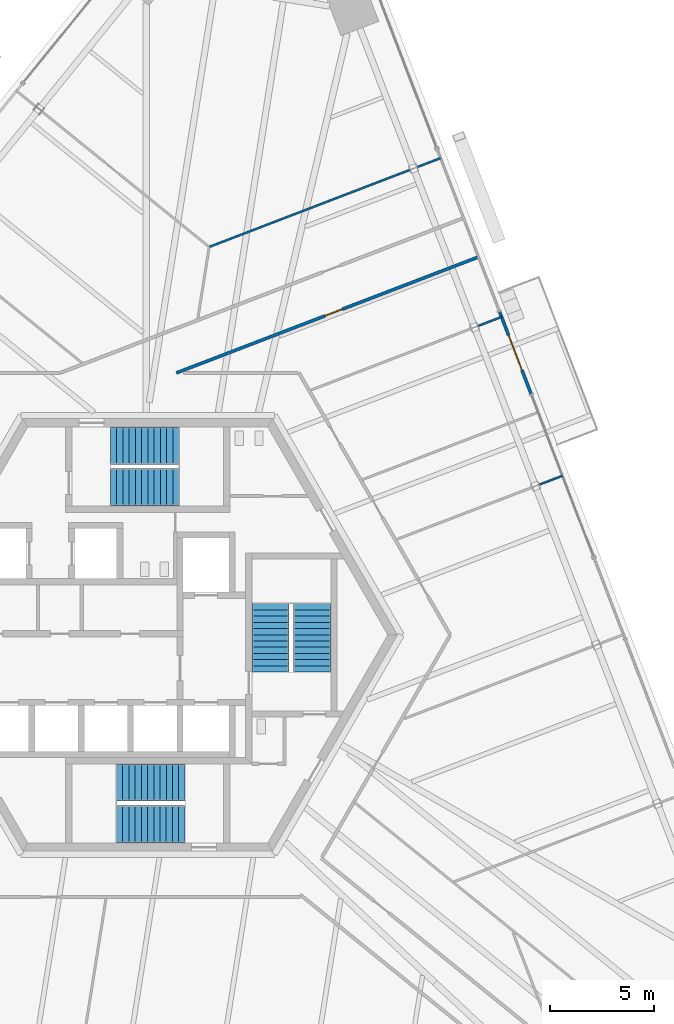
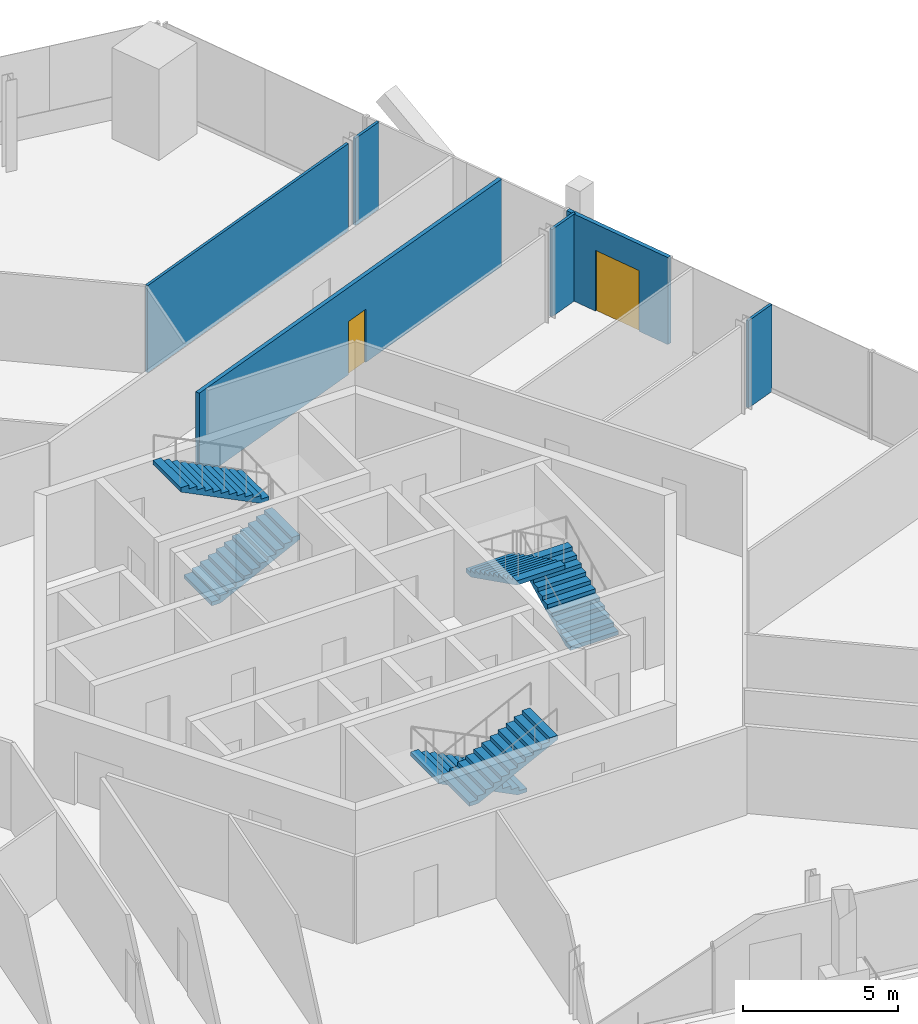
# One storey, part 15 of 19: 6 stair flights, 6 walls, 2 doors, 2 openings, 3 elements without a shape of their own.
"""IFC4 building model written with IfcOpenShell, lengths in metres."""

from ifc_helpers import new_model, si_unit, direction, frame, frame_2d, origin, place, context, subcontext, project, spatial, polyline, rectangle, outline, extrude, source, transform, mapped, material, layer, layer_set, type_object, element, fill, aggregate, save


model = new_model("IFC4")

# Units and contexts
model_context = context("Model", 3, precision=1e-05, world=origin(), true_north=direction((0.0, 1.0)))
body_context = subcontext(model_context, "Body", "Model", "MODEL_VIEW")
ifc_project = project(units=[si_unit("LENGTHUNIT", "METRE"), si_unit("AREAUNIT", "SQUARE_METRE"), si_unit("VOLUMEUNIT", "CUBIC_METRE"), si_unit("PLANEANGLEUNIT", "RADIAN"), si_unit("MASSUNIT", "GRAM", prefix="KILO")], contexts=[model_context])

# Site, building, storey
site_placement = place(None, origin())
site = spatial("IfcSite", under=ifc_project, at=site_placement, CompositionType="ELEMENT")
building_placement = place(site_placement, origin())
building = spatial("IfcBuilding", under=site, at=building_placement, Name="Triune Harvest Tower", CompositionType="ELEMENT")
storey_placement = place(building_placement, frame((0.0, 0.0, 164.10009765625)))
storey = spatial("IfcBuildingStorey", under=building, at=storey_placement, Name="L42", CompositionType="ELEMENT", Elevation=164.10009765625)

# Wall, opening, door
ifc_material_1 = material(Name="Gypsum board on steel studs", Category="steel")
ifc_layer_1 = layer(ifc_material_1, 0.14990234375)
ifc_layer_set_1 = layer_set([ifc_layer_1], Name="Gypsum board on steel studs")
wall_type_1 = type_object("IfcWallType", Name="Fire Partition 150 mm", PredefinedType="PARTITIONING", material=ifc_layer_set_1)
wall_1_placement = place(storey_placement, frame((1.376708984375, 12.59228515625, 0.0), z_axis=(0.0, 0.0, 1.0), x_axis=(0.933578040857, 0.358374164289, 0.0)))
wall_1 = element("IfcWall", 1, at=wall_1_placement, inside=storey, type_object=wall_type_1, Name="Partition L42 032", PredefinedType="PARTITIONING", context=body_context, shape_type="SweptSolid", body=[
    extrude(rectangle(XDim=15.552734375, YDim=0.14990234375, at=frame_2d((7.7763671875, 0.0))), origin(), (0.0, 0.0, 1.0), 3.43994140625),
])
opening_1_placement = place(wall_1_placement, frame((7.654296875, 0.0, 0.0)))
opening_1 = element("IfcOpeningElement", 2, at=opening_1_placement, cuts=wall_1, Name="Opening L42-006", PredefinedType="OPENING", context=body_context, shape_type="SweptSolid", body=[
    extrude(rectangle(XDim=0.89990234375, YDim=2.10009765625, at=frame_2d((0.449951171875, 1.050048828125))), frame((0.0, 0.0849609375, 0.0), z_axis=(0.0, -1.0, 0.0), x_axis=(1.0, 0.0, 0.0)), (0.0, 0.0, 1.0), 0.169921875),
])
ifc_material_2 = material(Name="Timber and steel door set", Category="steel")
door_type_1 = type_object("IfcDoorType", Name="Single leaf door FD30 left hand 900 x 2100", OperationType="SINGLE_SWING_LEFT", PredefinedType="DOOR", material=ifc_material_2)
door_1_placement = place(opening_1_placement, origin())
door_1 = element("IfcDoor", 3, at=door_1_placement, inside=storey, type_object=door_type_1, Name="Door L42-006 Office 42.06", OperationType="SINGLE_SWING_LEFT", OverallHeight=2.10009765625, OverallWidth=0.89990234375, PredefinedType="DOOR", context=body_context, shape_type="SweptSolid", body=[
    extrude(rectangle(XDim=0.89990234375, YDim=2.10009765625, at=frame_2d((0.449951171875, 1.050048828125))), frame((0.0, 0.02490234375, 0.0), z_axis=(0.0, -1.0, 0.0), x_axis=(1.0, 0.0, 0.0)), (0.0, 0.0, 1.0), 0.050048828125),
])
fill(opening_1, door_1)

ifc_material_3 = material(Name="Aluminium bronze anodised", Category="aluminium")
ifc_layer_2 = layer(ifc_material_3, 0.14990234375)
ifc_layer_set_2 = layer_set([ifc_layer_2], Name="Aluminium bronze anodised")
wall_type_2 = type_object("IfcWallType", Name="WW-2 balcony window wall", PredefinedType="ELEMENTEDWALL", material=ifc_layer_set_2)
shared_shape_1 = source(origin(), body_context, "Body", "SweptSolid", [
    extrude(rectangle(XDim=4.22119140625, YDim=0.14990234375, at=frame_2d((2.110595703125, 0.0))), origin(), (0.0, 0.0, 1.0), 3.43994140625),
])
wall_2_placement = place(storey_placement, frame((16.906982421875, 15.532958984375, 0.0), z_axis=(0.0, 0.0, 1.0), x_axis=(0.358420910075, -0.933560095131, 0.0)))
wall_2 = element("IfcWall", 4, at=wall_2_placement, inside=storey, type_object=wall_type_2, Name="WW-2 B4-F1 L42.8", PredefinedType="ELEMENTEDWALL", context=body_context, shape_type="MappedRepresentation", body=[
    mapped(shared_shape_1, transform((0.0, 0.0, 0.0), scale=1.0)),
])
opening_2_placement = place(wall_2_placement, frame((1.21044921875, 0.0, 0.0)))
opening_2 = element("IfcOpeningElement", 5, at=opening_2_placement, cuts=wall_2, Name="Opening L42-E01", PredefinedType="OPENING", context=body_context, shape_type="SweptSolid", body=[
    extrude(rectangle(XDim=1.800048828125, YDim=2.39990234375, at=frame_2d((0.89990234375, 1.199951171875))), frame((0.0, 0.0849609375, 0.0), z_axis=(0.0, -1.0, 0.0), x_axis=(1.0, 0.0, 0.0)), (0.0, 0.0, 1.0), 0.169921875),
])
ifc_material_4 = material(Name="Glass", Category="glass")
door_type_2 = type_object("IfcDoorType", Name="DB-1 balcony door 1800 x 2400", OperationType="DOUBLE_DOOR_SINGLE_SWING", PredefinedType="DOOR", material=ifc_material_4)
door_2_placement = place(opening_2_placement, origin())
door_2 = element("IfcDoor", 6, at=door_2_placement, inside=storey, type_object=door_type_2, Name="Door L42-E01", OperationType="DOUBLE_DOOR_SINGLE_SWING", OverallHeight=2.39990234375, OverallWidth=1.800048828125, PredefinedType="DOOR", context=body_context, shape_type="SweptSolid", body=[
    extrude(rectangle(XDim=1.800048828125, YDim=2.39990234375, at=frame_2d((0.89990234375, 1.199951171875))), frame((0.0, 0.02490234375, 0.0), z_axis=(0.0, -1.0, 0.0), x_axis=(1.0, 0.0, 0.0)), (0.0, 0.0, 1.0), 0.050048828125),
])
fill(opening_2, door_2)

# Walls
ifc_material_5 = material(Name="Gypsum board on steel studs", Category="steel")
ifc_layer_3 = layer(ifc_material_5, 0.10009765625)
ifc_layer_set_3 = layer_set([ifc_layer_3], Name="Gypsum board on steel studs")
wall_type_3 = type_object("IfcWallType", Name="Partition 100 mm", PredefinedType="PARTITIONING", material=ifc_layer_set_3)
shared_shape_2 = source(origin(), body_context, "Body", "SweptSolid", [
    extrude(rectangle(XDim=1.212158203125, YDim=0.10009765625, at=frame_2d((0.60595703125, 0.0))), origin(), (0.0, 0.0, 1.0), 3.43994140625),
])
for number, where, z_axis, x_axis, name in (
    (7, (18.80078125, 7.21728515625, 0.0), (0.0, 0.0, 1.0), (0.933527169353, 0.358506658349, 0.0), "Partition L42 027"),
    (8, (15.871337890625, 14.84912109375, 0.0), (0.0, 0.0, 1.0), (0.933594564159, 0.358331117506, 0.0), "Partition L42 030"),
    (9, (12.941650390625, 22.481201171875, 0.0), (0.0, 0.0, 1.0), (0.933594564159, 0.358331117506, 0.0), "Partition L42 039"),
):
    element("IfcWall", number, at=place(storey_placement, frame(where, z_axis=z_axis, x_axis=x_axis)), inside=storey, type_object=wall_type_3, Name=name, PredefinedType="PARTITIONING", context=body_context, shape_type="MappedRepresentation", body=[
        mapped(shared_shape_2, transform((0.0, 0.0, 0.0), scale=1.0)),
    ])
shared_shape_3 = source(origin(), body_context, "Body", "SweptSolid", [
    extrude(rectangle(XDim=10.325439453125, YDim=0.10009765625, at=frame_2d((5.16259765625, 0.0))), origin(), (0.0, 0.0, 1.0), 3.43994140625),
])
wall_3_placement = place(storey_placement, frame((2.97216796875, 18.654296875, 0.0), z_axis=(0.0, 0.0, 1.0), x_axis=(0.933584283364, 0.358357901901, 0.0)))
element("IfcWall", 10, at=wall_3_placement, inside=storey, type_object=wall_type_3, Name="Partition L42 038", PredefinedType="PARTITIONING", context=body_context, shape_type="MappedRepresentation", body=[
    mapped(shared_shape_3, transform((0.0, 0.0, 0.0), scale=1.0)),
])

# Stair, stair flights
ifc_material_6 = material(Name="Concrete 40 MPa", Category="concrete")
stair_type = type_object("IfcStairType", Name="Exit stair 1800 half turn", PredefinedType="HALF_TURN_STAIR", material=ifc_material_6)
stair_1_placement = place(storey_placement, origin())
stair_1 = element("IfcStair", 11, at=stair_1_placement, inside=storey, type_object=stair_type, Name="Exit stair north", PredefinedType="HALF_TURN_STAIR")
ifc_material_7 = material(Name="Concrete 40 MPa", Category="concrete")
stair_flight_type = type_object("IfcStairFlightType", Name="Stair flight 1800", PredefinedType="STRAIGHT", material=ifc_material_7)
shared_shape_4 = source(origin(), body_context, "Body", "SweptSolid", [
    extrude(outline(polyline([(0.0, 0.0), (0.0, 0.14990234375), (0.300048828125, 0.14990234375), (0.300048828125, 0.300048828125), (0.60009765625, 0.300048828125), (0.60009765625, 0.449951171875), (0.89990234375, 0.449951171875), (0.89990234375, 0.60009765625), (1.199951171875, 0.60009765625), (1.199951171875, 0.75), (1.5, 0.75), (1.5, 0.89990234375), (1.800048828125, 0.89990234375), (1.800048828125, 1.050048828125), (2.10009765625, 1.050048828125), (2.10009765625, 1.199951171875), (2.39990234375, 1.199951171875), (2.39990234375, 1.35009765625), (2.699951171875, 1.35009765625), (2.699951171875, 1.5), (3.0, 1.5), (3.0, 1.64990234375), (3.300048828125, 1.64990234375), (3.300048828125, 1.800048828125), (3.300048828125, 1.482421875), (0.335205078125, 0.0), (0.0, 0.0)])), frame((0.0, 0.89990234375, 0.0), z_axis=(0.0, -1.0, 0.0), x_axis=(1.0, 0.0, 0.0)), (0.0, 0.0, 1.0), 1.800048828125),
])
stair_flight_1_placement = place(storey_placement, frame((-1.7900390625, 7.090087890625, 0.0), z_axis=(0.0, 0.0, 1.0), x_axis=(1.0, 0.0, 0.0)))
stair_flight_1 = element("IfcStairFlight", 12, at=stair_flight_1_placement, type_object=stair_flight_type, Name="ST-1 flight 1", NumberOfRisers=12, NumberOfTreads=11, PredefinedType="STRAIGHT", RiserHeight=0.15, TreadLength=0.3, context=body_context, shape_type="MappedRepresentation", body=[
    mapped(shared_shape_4, transform((0.0, 0.0, 0.0), scale=1.0)),
])
stair_flight_2_placement = place(storey_placement, frame((1.510009765625, 9.090087890625, 1.7998046875), z_axis=(0.0, 0.0, 1.0), x_axis=(-1.0, 0.0, 0.0)))
stair_flight_2 = element("IfcStairFlight", 13, at=stair_flight_2_placement, type_object=stair_flight_type, Name="ST-1 flight 2", NumberOfRisers=12, NumberOfTreads=11, PredefinedType="STRAIGHT", RiserHeight=0.15, TreadLength=0.3, context=body_context, shape_type="MappedRepresentation", body=[
    mapped(shared_shape_4, transform((0.0, 0.0, 0.0), scale=1.0)),
])
aggregate(stair_1, [stair_flight_1, stair_flight_2])

stair_2_placement = place(storey_placement, origin())
stair_2 = element("IfcStair", 14, at=stair_2_placement, inside=storey, type_object=stair_type, Name="Exit stair south", PredefinedType="HALF_TURN_STAIR")
stair_flight_3_placement = place(storey_placement, frame((1.7900390625, -7.090087890625, 0.0), z_axis=(0.0, 0.0, 1.0), x_axis=(-1.0, 0.0, 0.0)))
stair_flight_3 = element("IfcStairFlight", 15, at=stair_flight_3_placement, type_object=stair_flight_type, Name="ST-2 flight 1", NumberOfRisers=12, NumberOfTreads=11, PredefinedType="STRAIGHT", RiserHeight=0.15, TreadLength=0.3, context=body_context, shape_type="MappedRepresentation", body=[
    mapped(shared_shape_4, transform((0.0, 0.0, 0.0), scale=1.0)),
])
stair_flight_4_placement = place(storey_placement, frame((-1.510009765625, -9.090087890625, 1.7998046875), z_axis=(0.0, 0.0, 1.0), x_axis=(1.0, 0.0, 0.0)))
stair_flight_4 = element("IfcStairFlight", 16, at=stair_flight_4_placement, type_object=stair_flight_type, Name="ST-2 flight 2", NumberOfRisers=12, NumberOfTreads=11, PredefinedType="STRAIGHT", RiserHeight=0.15, TreadLength=0.3, context=body_context, shape_type="MappedRepresentation", body=[
    mapped(shared_shape_4, transform((0.0, 0.0, 0.0), scale=1.0)),
])
aggregate(stair_2, [stair_flight_3, stair_flight_4])

stair_3_placement = place(storey_placement, origin())
stair_3 = element("IfcStair", 17, at=stair_3_placement, inside=storey, type_object=stair_type, Name="Exit stair east", PredefinedType="HALF_TURN_STAIR")
stair_flight_5_placement = place(storey_placement, frame((7.89990234375, -1.7900390625, 0.0), z_axis=(0.0, 0.0, 1.0), x_axis=(0.0, 1.0, 0.0)))
stair_flight_5 = element("IfcStairFlight", 18, at=stair_flight_5_placement, type_object=stair_flight_type, Name="ST-3 flight 1", NumberOfRisers=12, NumberOfTreads=11, PredefinedType="STRAIGHT", RiserHeight=0.15, TreadLength=0.3, context=body_context, shape_type="MappedRepresentation", body=[
    mapped(shared_shape_4, transform((0.0, 0.0, 0.0), scale=1.0)),
])
stair_flight_6_placement = place(storey_placement, frame((5.89990234375, 1.510009765625, 1.7998046875), z_axis=(0.0, 0.0, 1.0), x_axis=(0.0, -1.0, 0.0)))
stair_flight_6 = element("IfcStairFlight", 19, at=stair_flight_6_placement, type_object=stair_flight_type, Name="ST-3 flight 2", NumberOfRisers=12, NumberOfTreads=11, PredefinedType="STRAIGHT", RiserHeight=0.15, TreadLength=0.3, context=body_context, shape_type="MappedRepresentation", body=[
    mapped(shared_shape_4, transform((0.0, 0.0, 0.0), scale=1.0)),
])
aggregate(stair_3, [stair_flight_5, stair_flight_6])

save(model, "model.ifc")
